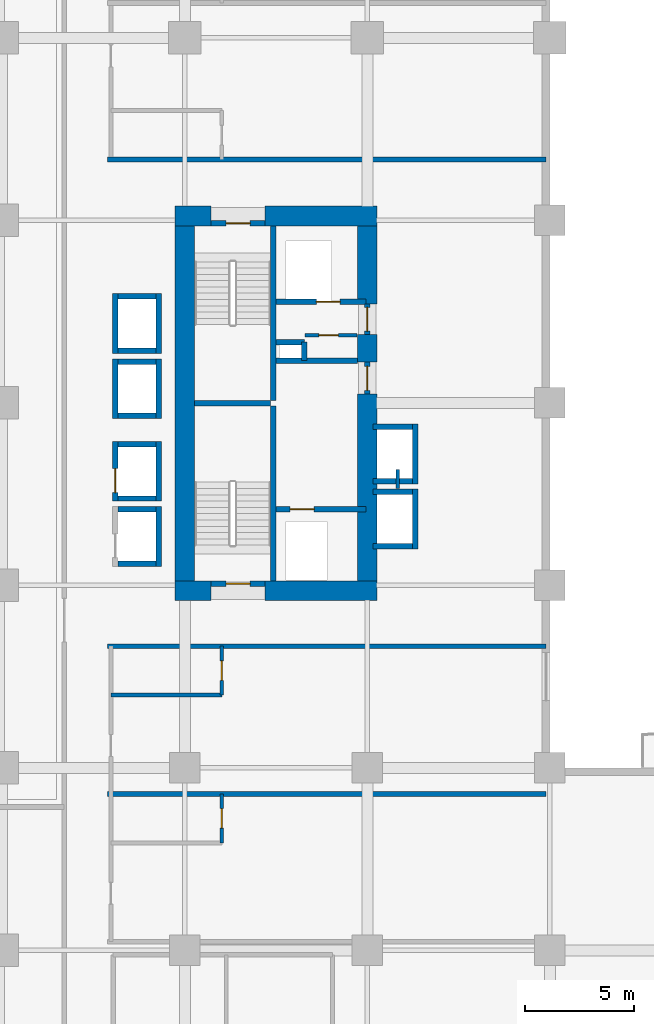
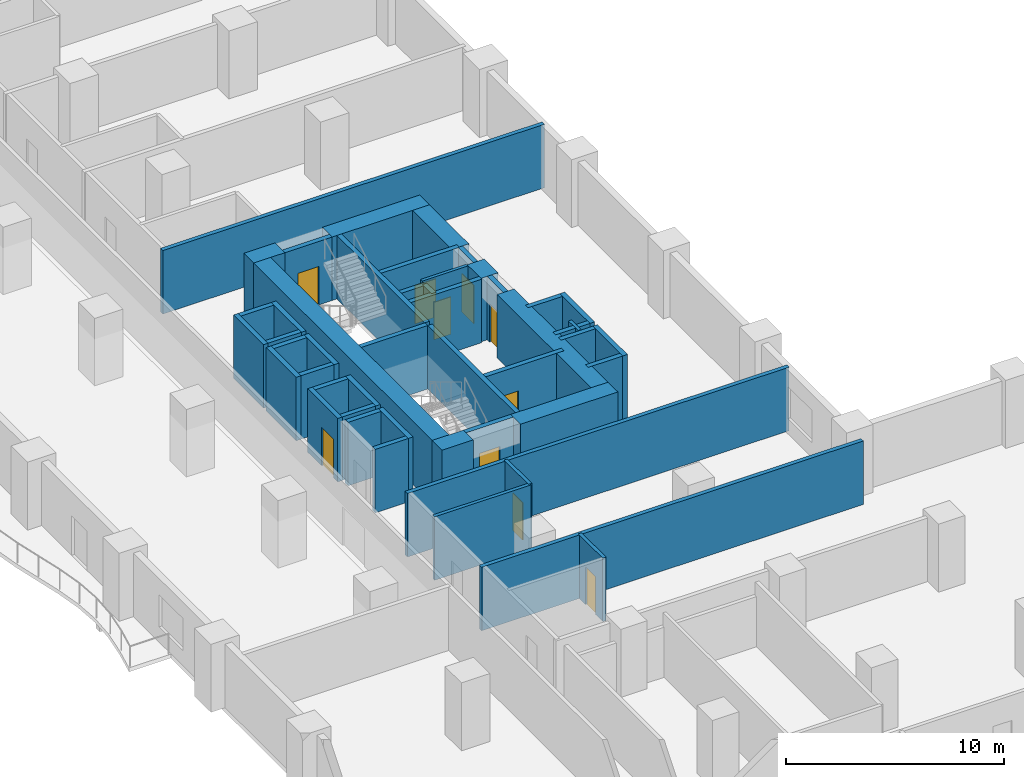
# One storey, part 15 of 27: 49 walls, 10 doors, 10 openings.
"""IFC4 building model written with IfcOpenShell, lengths in metres."""

import ifcopenshell
import ifcopenshell.guid

model = None  # the IFC model being written
_history = None  # IfcOwnerHistory: only IFC2X3 demands one
_inside = {}  # id of a spatial element -> (the spatial element, [elements in it])
_under = {}  # id of a project, library or spatial element -> (it, [spatial elements below it])
_declared = {}  # id of a project -> (the project, [libraries it declares])
_typed = {}  # id of a type object -> (the type object, [elements of that type])
_made_of = {}  # id of a material, layer set ... -> (it, [elements and type objects made of it])


def new_model(schema):
    """Start an empty IFC model of exactly this schema.

    Asked for "IFC4X3", IfcOpenShell would pick the latest addendum, in which some entities
    have other attributes; the version numbers below select the first issue.
    IFC2X3 requires an IfcOwnerHistory on every rooted entity: one is made here for all.
    """
    global model, _history
    if schema == "IFC4X3":
        model = ifcopenshell.file(schema_version=(4, 3, 0, 0))
    else:
        model = ifcopenshell.file(schema=schema)
    _inside.clear()
    _under.clear()
    _declared.clear()
    _typed.clear()
    _made_of.clear()
    _history = None
    if model.schema == "IFC2X3":
        org = make("IfcOrganization", Name="unknown")
        user = make(
            "IfcPersonAndOrganization",
            ThePerson=make("IfcPerson", FamilyName="unknown"),
            TheOrganization=org,
        )
        app = make(
            "IfcApplication",
            ApplicationDeveloper=org,
            Version="unknown",
            ApplicationFullName="unknown",
            ApplicationIdentifier="unknown",
        )
        _history = make(
            "IfcOwnerHistory",
            OwningUser=user,
            OwningApplication=app,
            ChangeAction="ADDED",
            CreationDate=0,
        )
    return model


def make(cls, **values):
    """One entity of the class cls with the attributes given. An attribute that is None is left unset."""
    return model.create_entity(
        cls, **{name: value for name, value in values.items() if value is not None}
    )


def rooted(cls, **values):
    """An entity with a GlobalId (a new one), such as an element, a storey or a relation."""
    return make(cls, GlobalId=ifcopenshell.guid.new(), OwnerHistory=_history, **values)


def si_unit(unit_type, name, prefix=None):
    """IfcSIUnit, for example si_unit("LENGTHUNIT", "METRE", prefix="MILLI")."""
    return make("IfcSIUnit", UnitType=unit_type, Prefix=prefix, Name=name)


def assignment(units):
    """IfcUnitAssignment: the units of a project."""
    return None if units is None else make("IfcUnitAssignment", Units=units)


def point(xyz):
    """IfcCartesianPoint."""
    return None if xyz is None else make("IfcCartesianPoint", Coordinates=xyz)


def direction(xyz):
    """IfcDirection."""
    return None if xyz is None else make("IfcDirection", DirectionRatios=xyz)


def frame(location, z_axis=None, x_axis=None):
    """IfcAxis2Placement3D, a coordinate frame: its origin and axes. An axis left out is left unset."""
    return make(
        "IfcAxis2Placement3D",
        Location=point(location),
        Axis=direction(z_axis),
        RefDirection=direction(x_axis),
    )


def frame_2d(location, x_axis=None):
    """IfcAxis2Placement2D, a coordinate frame in the plane: its origin and x axis."""
    return make(
        "IfcAxis2Placement2D", Location=point(location), RefDirection=direction(x_axis)
    )


def origin():
    """The frame at (0, 0, 0) with its axes left unset."""
    return frame((0.0, 0.0, 0.0))


def place(relative_to, where):
    """IfcLocalPlacement: puts the frame where relative to a parent placement (None: the world)."""
    return make(
        "IfcLocalPlacement", PlacementRelTo=relative_to, RelativePlacement=where
    )


def context(
    kind, dimensions, precision=None, world=None, true_north=None, identifier=None
):
    """IfcGeometricRepresentationContext, for example the 3D "Model" context."""
    return make(
        "IfcGeometricRepresentationContext",
        ContextIdentifier=identifier,
        ContextType=kind,
        CoordinateSpaceDimension=dimensions,
        Precision=precision,
        WorldCoordinateSystem=world,
        TrueNorth=true_north,
    )


def subcontext(parent, identifier, kind, view, scale=None):
    """IfcGeometricRepresentationSubContext, for example "Body" below "Model"."""
    return make(
        "IfcGeometricRepresentationSubContext",
        ContextIdentifier=identifier,
        ContextType=kind,
        ParentContext=parent,
        TargetScale=scale,
        TargetView=view,
    )


def project(units=None, contexts=None):
    """IfcProject with its units and contexts."""
    return rooted(
        "IfcProject",
        Name="project",
        RepresentationContexts=contexts,
        UnitsInContext=assignment(units),
    )


def spatial(cls, under=None, at=None, **own):
    """A site, building, storey or space (cls), placed at a placement, below another one or the project."""
    s = rooted(cls, ObjectPlacement=at, **own)
    if under is not None:
        _under.setdefault(under.id(), (under, []))[1].append(s)
    return s


def profile(cls, at=None, kind="AREA", **sizes):
    """A parametric profile (cls). Its sizes go by their IFC names, for example OverallWidth=200.0."""
    return make(cls, ProfileType=kind, Position=at, **sizes)


def rectangle(**sizes):
    """IfcRectangleProfileDef."""
    return profile("IfcRectangleProfileDef", **sizes)


def extrude(swept, where, along, depth):
    """IfcExtrudedAreaSolid: the profile swept, set in the frame where, extruded along a direction by depth."""
    return make(
        "IfcExtrudedAreaSolid",
        SweptArea=swept,
        Position=where,
        ExtrudedDirection=direction(along),
        Depth=depth,
    )


def shape(context_of_items, identifier, shape_type, items):
    """IfcShapeRepresentation: the items that make up one representation, for example the "Body"."""
    return make(
        "IfcShapeRepresentation",
        ContextOfItems=context_of_items,
        RepresentationIdentifier=identifier,
        RepresentationType=shape_type,
        Items=items,
    )


def material(Name=None, Category=None):
    """IfcMaterial."""
    return make("IfcMaterial", Name=Name, Category=Category)


def layer(
    of_material, thickness, ventilated=None, Name=None, Category=None, Priority=None
):
    """IfcMaterialLayer: one layer of a wall or slab, of a material (None: an air gap)."""
    return make(
        "IfcMaterialLayer",
        Material=of_material,
        LayerThickness=thickness,
        IsVentilated=ventilated,
        Name=Name,
        Category=Category,
        Priority=Priority,
    )


def layer_set(layers, Name=None):
    """IfcMaterialLayerSet."""
    return make("IfcMaterialLayerSet", MaterialLayers=layers, LayerSetName=Name)


def made_of(thing, what):
    """Note that an element or type object is made of a material, layer set ...; save() writes the relation."""
    if what is not None:
        _made_of.setdefault(what.id(), (what, []))[1].append(thing)
    return thing


def type_object(cls, material=None, **own):
    """A type object (cls), such as IfcWallType, which elements share."""
    return made_of(rooted(cls, **own), material)


def element(
    cls,
    number,
    at=None,
    inside=None,
    cuts=None,
    type_object=None,
    material=None,
    context=None,
    identifier="Body",
    shape_type=None,
    held_by="IfcProductDefinitionShape",
    body=None,
    shapes=None,
    **own,
):
    """One element of the class cls, such as IfcWall. Its Tag is "e" and its number.

    at: its placement. inside: the storey or other place that contains it. cuts: it is an
    opening in that element (IfcRelVoidsElement). A single representation is given by context,
    identifier, shape_type and body (its items); several are given by shapes. held_by: the class
    of the entity that holds the representations. save() writes the other relations.
    """
    e = rooted(cls, Tag="e%d" % number, ObjectPlacement=at, **own)
    if body is not None:
        shapes = [shape(context, identifier, shape_type, body)]
    if shapes is not None:
        e.Representation = make(held_by, Representations=shapes)
    if inside is not None:
        _inside.setdefault(inside.id(), (inside, []))[1].append(e)
    if cuts is not None:
        rooted(
            "IfcRelVoidsElement", RelatingBuildingElement=cuts, RelatedOpeningElement=e
        )
    if type_object is not None:
        _typed.setdefault(type_object.id(), (type_object, []))[1].append(e)
    return made_of(e, material)


def fill(opening, filler):
    """IfcRelFillsElement: the door or window that sits in an opening."""
    return rooted(
        "IfcRelFillsElement",
        RelatingOpeningElement=opening,
        RelatedBuildingElement=filler,
    )


def aggregate(whole, parts):
    """IfcRelAggregates: a whole, such as a stair, and the parts it consists of."""
    return rooted("IfcRelAggregates", RelatingObject=whole, RelatedObjects=parts)


def save(model, path):
    """Write the relations noted so far, then the file.

    IfcRelAggregates (storeys below a building ...), IfcRelContainedInSpatialStructure (elements
    in a storey), IfcRelDefinesByType, IfcRelAssociatesMaterial and IfcRelDeclares: one each for
    every whole, place, type object, material and project.
    """
    for whole, parts in _under.values():
        aggregate(whole, parts)
    for where, things in _inside.values():
        rooted(
            "IfcRelContainedInSpatialStructure",
            RelatedElements=things,
            RelatingStructure=where,
        )
    for kind, things in _typed.values():
        rooted("IfcRelDefinesByType", RelatedObjects=things, RelatingType=kind)
    for what, things in _made_of.values():
        rooted("IfcRelAssociatesMaterial", RelatedObjects=things, RelatingMaterial=what)
    for by, libraries in _declared.values():
        rooted("IfcRelDeclares", RelatingContext=by, RelatedDefinitions=libraries)
    model.write(path)


model = new_model("IFC4")

# Units and contexts
model_context = context("Model", 3, precision=1e-05, world=origin(), true_north=direction((0.0, 1.0)))
body_context = subcontext(model_context, "Body", "Model", "MODEL_VIEW")
ifc_project = project(units=[si_unit("LENGTHUNIT", "METRE"), si_unit("AREAUNIT", "SQUARE_METRE"), si_unit("VOLUMEUNIT", "CUBIC_METRE"), si_unit("PLANEANGLEUNIT", "RADIAN"), si_unit("MASSUNIT", "GRAM", prefix="KILO")], contexts=[model_context])

# Site, building, storey
site_placement = place(None, origin())
site = spatial("IfcSite", under=ifc_project, at=site_placement, CompositionType="ELEMENT")
building_placement = place(site_placement, origin())
building = spatial("IfcBuilding", under=site, at=building_placement, Name="Koriwani Terraces Tower", CompositionType="ELEMENT")
storey_placement = place(building_placement, frame((0.0, 0.0, 54.800048828125)))
storey = spatial("IfcBuildingStorey", under=building, at=storey_placement, Name="L12", CompositionType="ELEMENT", Elevation=54.800048828125)

# Walls
ifc_material_1 = material(Name="Concrete C60/75", Category="concrete")
ifc_layer_1 = layer(ifc_material_1, 0.89990234375, Name="Concrete C60/75")
ifc_layer_set_1 = layer_set([ifc_layer_1], Name="Concrete C60/75")
wall_type_1 = type_object("IfcWallType", Name="WALL_CORE_RC_900", PredefinedType="SHEAR", material=ifc_layer_set_1)
wall_1_placement = place(storey_placement, frame((16.35009765625, 41.75, 0.0), z_axis=(0.0, 0.0, 1.0), x_axis=(1.0, 0.0, 0.0)))
element("IfcWall", 1, at=wall_1_placement, inside=storey, type_object=wall_type_1, Name="L12 West Split Core Shear Wall S1", PredefinedType="SHEAR", context=body_context, shape_type="SweptSolid", body=[
    extrude(rectangle(XDim=1.64990234375, YDim=0.89990234375, at=frame_2d((0.824951171875, 0.0))), origin(), (0.0, 0.0, 1.0), 3.550048828125),
])
wall_2_placement = place(storey_placement, frame((20.5, 41.75, 0.0), z_axis=(0.0, 0.0, 1.0), x_axis=(1.0, 0.0, 0.0)))
element("IfcWall", 2, at=wall_2_placement, inside=storey, type_object=wall_type_1, Name="L12 West Split Core Shear Wall S2", PredefinedType="SHEAR", context=body_context, shape_type="SweptSolid", body=[
    extrude(rectangle(XDim=5.14990234375, YDim=0.89990234375, at=frame_2d((2.574951171875, 0.0))), origin(), (0.0, 0.0, 1.0), 3.550048828125),
])
wall_3_placement = place(storey_placement, frame((16.35009765625, 59.0, 0.0), z_axis=(0.0, 0.0, 1.0), x_axis=(1.0, 0.0, 0.0)))
element("IfcWall", 3, at=wall_3_placement, inside=storey, type_object=wall_type_1, Name="L12 West Split Core Shear Wall N1", PredefinedType="SHEAR", context=body_context, shape_type="SweptSolid", body=[
    extrude(rectangle(XDim=1.64990234375, YDim=0.89990234375, at=frame_2d((0.824951171875, 0.0))), origin(), (0.0, 0.0, 1.0), 3.550048828125),
])
wall_4_placement = place(storey_placement, frame((20.5, 59.0, 0.0), z_axis=(0.0, 0.0, 1.0), x_axis=(1.0, 0.0, 0.0)))
element("IfcWall", 4, at=wall_4_placement, inside=storey, type_object=wall_type_1, Name="L12 West Split Core Shear Wall N2", PredefinedType="SHEAR", context=body_context, shape_type="SweptSolid", body=[
    extrude(rectangle(XDim=5.14990234375, YDim=0.89990234375, at=frame_2d((2.574951171875, 0.0))), origin(), (0.0, 0.0, 1.0), 3.550048828125),
])
wall_5_placement = place(storey_placement, frame((16.800048828125, 42.199951171875, 0.0), z_axis=(0.0, 0.0, 1.0), x_axis=(0.0, 1.0, 0.0)))
element("IfcWall", 5, at=wall_5_placement, inside=storey, type_object=wall_type_1, Name="L12 West Split Core Shear Wall W1", PredefinedType="SHEAR", context=body_context, shape_type="SweptSolid", body=[
    extrude(rectangle(XDim=16.35009765625, YDim=0.89990234375, at=frame_2d((8.175048828125, 0.0))), origin(), (0.0, 0.0, 1.0), 3.550048828125),
])
wall_6_placement = place(storey_placement, frame((25.199951171875, 42.199951171875, 0.0), z_axis=(0.0, 0.0, 1.0), x_axis=(0.0, 1.0, 0.0)))
element("IfcWall", 6, at=wall_6_placement, inside=storey, type_object=wall_type_1, Name="L12 West Split Core Shear Wall E1", PredefinedType="SHEAR", context=body_context, shape_type="SweptSolid", body=[
    extrude(rectangle(XDim=8.60009765625, YDim=0.89990234375, at=frame_2d((4.300048828125, 0.0))), origin(), (0.0, 0.0, 1.0), 3.550048828125),
])
wall_7_placement = place(storey_placement, frame((25.199951171875, 52.280029296875, 0.0), z_axis=(0.0, 0.0, 1.0), x_axis=(0.0, 1.0, 0.0)))
element("IfcWall", 7, at=wall_7_placement, inside=storey, type_object=wall_type_1, Name="L12 West Split Core Shear Wall E2", PredefinedType="SHEAR", context=body_context, shape_type="SweptSolid", body=[
    extrude(rectangle(XDim=1.27001953125, YDim=0.89990234375, at=frame_2d((0.635009765625, 0.0))), origin(), (0.0, 0.0, 1.0), 3.550048828125),
])
wall_8_placement = place(storey_placement, frame((25.199951171875, 54.949951171875, 0.0), z_axis=(0.0, 0.0, 1.0), x_axis=(0.0, 1.0, 0.0)))
element("IfcWall", 8, at=wall_8_placement, inside=storey, type_object=wall_type_1, Name="L12 West Split Core Shear Wall E3", PredefinedType="SHEAR", context=body_context, shape_type="SweptSolid", body=[
    extrude(rectangle(XDim=3.60009765625, YDim=0.89990234375, at=frame_2d((1.800048828125, 0.0))), origin(), (0.0, 0.0, 1.0), 3.550048828125),
])
ifc_material_2 = material(Name="Autoclaved Cellular Concrete Blockwork", Category="masonry")
ifc_layer_2 = layer(ifc_material_2, 0.219970703125, Name="Autoclaved Cellular Concrete Blockwork")
ifc_layer_set_2 = layer_set([ifc_layer_2], Name="Autoclaved Cellular Concrete Blockwork")
wall_type_2 = type_object("IfcWallType", Name="WALL_DEMISING_220", PredefinedType="PARTITIONING", material=ifc_layer_set_2)
for number, where, z_axis, x_axis, name in (
    (9, (13.25, 32.39990234375, 0.0), (0.0, 0.0, 1.0), (1.0, 0.0, 0.0), "L12 Interior Wall WDEM-L12-NWI-1"),
    (10, (13.25, 39.199951171875, 0.0), (0.0, 0.0, 1.0), (1.0, 0.0, 0.0), "L12 Interior Wall WDEME-L12-NWI"),
    (11, (13.25, 61.60009765625, 0.0), (0.0, 0.0, 1.0), (1.0, 0.0, 0.0), "L12 Interior Wall WDEM-L12-NE-0"),
):
    element("IfcWall", number, at=place(storey_placement, frame(where, z_axis=z_axis, x_axis=x_axis)), inside=storey, type_object=wall_type_2, Name=name, PredefinedType="PARTITIONING", context=body_context, shape_type="SweptSolid", body=[
        extrude(rectangle(XDim=20.179931640625, YDim=0.219970703125, at=frame_2d((10.08984375, 0.0))), origin(), (0.0, 0.0, 1.0), 3.550048828125),
    ])

# Wall, opening, door
ifc_material_3 = material(Name="Fire-Rated Acoustic Gypsum Partition", Category="masonry")
ifc_layer_3 = layer(ifc_material_3, 0.179931640625, Name="Fire-Rated Acoustic Gypsum Partition")
ifc_layer_set_3 = layer_set([ifc_layer_3], Name="Fire-Rated Acoustic Gypsum Partition")
wall_type_3 = type_object("IfcWallType", Name="WALL_PLUMBING_180", PredefinedType="PLUMBINGWALL", material=ifc_layer_set_3)
wall_9_placement = place(storey_placement, frame((18.5, 30.14990234375, 0.0), z_axis=(0.0, 0.0, 1.0), x_axis=(0.0, 1.0, 0.0)))
wall_9 = element("IfcWall", 12, at=wall_9_placement, inside=storey, type_object=wall_type_3, Name="L12 Interior Wall WBTH1-L12-NWI-0", PredefinedType="PLUMBINGWALL", context=body_context, shape_type="SweptSolid", body=[
    extrude(rectangle(XDim=2.25, YDim=0.179931640625, at=frame_2d((1.125, 0.0))), origin(), (0.0, 0.0, 1.0), 3.550048828125),
])
opening_1_placement = place(wall_9_placement, frame((0.675048828125, 0.0, 0.0)))
opening_1 = element("IfcOpeningElement", 13, at=opening_1_placement, cuts=wall_9, Name="Opening D-07", PredefinedType="OPENING", context=body_context, shape_type="SweptSolid", body=[
    extrude(rectangle(XDim=0.89990234375, YDim=2.10009765625, at=frame_2d((0.449951171875, 1.050048828125))), frame((0.0, 0.10009765625, 0.0), z_axis=(0.0, -1.0, 0.0), x_axis=(1.0, 0.0, 0.0)), (0.0, 0.0, 1.0), 0.199951171875),
])
ifc_material_4 = material(Name="Architectural Oak Fire Door", Category="wood")
door_type_1 = type_object("IfcDoorType", Name="DOOR_BATH_INT_900X2100", OperationType="NOTDEFINED", PredefinedType="DOOR", material=ifc_material_4)
door_1_placement = place(opening_1_placement, origin())
door_1 = element("IfcDoor", 14, at=door_1_placement, inside=storey, type_object=door_type_1, Name="En-Suite Bathroom 12NWI1 Door", OperationType="SINGLE_SWING_LEFT", OverallHeight=2.10009765625, OverallWidth=0.89990234375, PredefinedType="DOOR", context=body_context, shape_type="SweptSolid", body=[
    extrude(rectangle(XDim=0.89990234375, YDim=2.10009765625, at=frame_2d((0.449951171875, 1.050048828125))), frame((0.0, 0.02490234375, 0.0), z_axis=(0.0, -1.0, 0.0), x_axis=(1.0, 0.0, 0.0)), (0.0, 0.0, 1.0), 0.050048828125),
])
fill(opening_1, door_1)

wall_10_placement = place(storey_placement, frame((18.5, 36.949951171875, 0.0), z_axis=(0.0, 0.0, 1.0), x_axis=(0.0, 1.0, 0.0)))
wall_10 = element("IfcWall", 15, at=wall_10_placement, inside=storey, type_object=wall_type_3, Name="L12 Interior Wall WBTH1-L12-NWI-1", PredefinedType="PLUMBINGWALL", context=body_context, shape_type="SweptSolid", body=[
    extrude(rectangle(XDim=2.25, YDim=0.179931640625, at=frame_2d((1.125, 0.0))), origin(), (0.0, 0.0, 1.0), 3.550048828125),
])
opening_2_placement = place(wall_10_placement, frame((0.675048828125, 0.0, 0.0)))
opening_2 = element("IfcOpeningElement", 16, at=opening_2_placement, cuts=wall_10, Name="Opening D-07", PredefinedType="OPENING", context=body_context, shape_type="SweptSolid", body=[
    extrude(rectangle(XDim=0.89990234375, YDim=2.10009765625, at=frame_2d((0.449951171875, 1.050048828125))), frame((0.0, 0.10009765625, 0.0), z_axis=(0.0, -1.0, 0.0), x_axis=(1.0, 0.0, 0.0)), (0.0, 0.0, 1.0), 0.199951171875),
])
door_2_placement = place(opening_2_placement, origin())
door_2 = element("IfcDoor", 17, at=door_2_placement, inside=storey, type_object=door_type_1, Name="En-Suite Bathroom 12NWI2 Door", OperationType="SINGLE_SWING_LEFT", OverallHeight=2.10009765625, OverallWidth=0.89990234375, PredefinedType="DOOR", context=body_context, shape_type="SweptSolid", body=[
    extrude(rectangle(XDim=0.89990234375, YDim=2.10009765625, at=frame_2d((0.449951171875, 1.050048828125))), frame((0.0, 0.02490234375, 0.0), z_axis=(0.0, -1.0, 0.0), x_axis=(1.0, 0.0, 0.0)), (0.0, 0.0, 1.0), 0.050048828125),
])
fill(opening_2, door_2)

# Walls
wall_11_placement = place(storey_placement, frame((13.39990234375, 36.949951171875, 0.0), z_axis=(0.0, 0.0, 1.0), x_axis=(1.0, 0.0, 0.0)))
element("IfcWall", 18, at=wall_11_placement, inside=storey, type_object=wall_type_3, Name="L12 Interior Wall WBTH2-L12-NWI-1", PredefinedType="PLUMBINGWALL", context=body_context, shape_type="SweptSolid", body=[
    extrude(rectangle(XDim=5.10009765625, YDim=0.179931640625, at=frame_2d((2.550048828125, 0.0))), origin(), (0.0, 0.0, 1.0), 3.550048828125),
])
ifc_material_5 = material(Name="Concrete C40/50", Category="concrete")
ifc_layer_4 = layer(ifc_material_5, 0.25, Name="Concrete C40/50")
ifc_layer_set_4 = layer_set([ifc_layer_4], Name="Concrete C40/50")
wall_type_4 = type_object("IfcWallType", Name="WALL_SHAFT_RATED_250", PredefinedType="SOLIDWALL", material=ifc_layer_set_4)
for number, where, z_axis, x_axis, name in (
    (19, (20.875, 42.199951171875, 0.0), (0.0, 0.0, 1.0), (0.0, 1.0, 0.0), "L12 West Split Core Web Wall MID1"),
    (20, (20.875, 50.5, 0.0), (0.0, 0.0, 1.0), (0.0, 1.0, 0.0), "L12 West Split Core Web Wall MID2"),
):
    element("IfcWall", number, at=place(storey_placement, frame(where, z_axis=z_axis, x_axis=x_axis)), inside=storey, type_object=wall_type_4, Name=name, PredefinedType="SOLIDWALL", context=body_context, shape_type="SweptSolid", body=[
        extrude(rectangle(XDim=8.050048828125, YDim=0.25, at=frame_2d((4.02490234375, 0.0))), origin(), (0.0, 0.0, 1.0), 3.550048828125),
    ])
wall_12_placement = place(storey_placement, frame((17.25, 50.375, 0.0), z_axis=(0.0, 0.0, 1.0), x_axis=(1.0, 0.0, 0.0)))
element("IfcWall", 21, at=wall_12_placement, inside=storey, type_object=wall_type_4, Name="L12 West Split Core Stair Dividing Wall", PredefinedType="SOLIDWALL", context=body_context, shape_type="SweptSolid", body=[
    extrude(rectangle(XDim=3.5, YDim=0.25, at=frame_2d((1.75, 0.0))), origin(), (0.0, 0.0, 1.0), 3.550048828125),
])

# Wall, opening, door
wall_13_placement = place(storey_placement, frame((18.0, 42.074951171875, 0.0), z_axis=(0.0, 0.0, 1.0), x_axis=(1.0, 0.0, 0.0)))
wall_13 = element("IfcWall", 22, at=wall_13_placement, inside=storey, type_object=wall_type_4, Name="L12 Interior Wall WIN-CW-L12-STS", PredefinedType="SOLIDWALL", context=body_context, shape_type="SweptSolid", body=[
    extrude(rectangle(XDim=2.5, YDim=0.25, at=frame_2d((1.25, 0.0))), origin(), (0.0, 0.0, 1.0), 3.550048828125),
])
opening_3_placement = place(wall_13_placement, frame((0.699951171875, 0.0, 0.0)))
opening_3 = element("IfcOpeningElement", 23, at=opening_3_placement, cuts=wall_13, Name="Opening D-03", PredefinedType="OPENING", context=body_context, shape_type="SweptSolid", body=[
    extrude(rectangle(XDim=1.10009765625, YDim=2.14990234375, at=frame_2d((0.550048828125, 1.074951171875))), frame((0.0, 0.135009765625, 0.0), z_axis=(0.0, -1.0, 0.0), x_axis=(1.0, 0.0, 0.0)), (0.0, 0.0, 1.0), 0.27001953125),
])
ifc_material_6 = material(Name="Steel ASTM A572 Grade 50", Category="steel")
door_type_2 = type_object("IfcDoorType", Name="DOOR_STAIR_FIRE_1100X2150", OperationType="NOTDEFINED", PredefinedType="DOOR", material=ifc_material_6)
door_3_placement = place(opening_3_placement, origin())
door_3 = element("IfcDoor", 24, at=door_3_placement, inside=storey, type_object=door_type_2, Name="L12 Exit Stair ST-W1 Door", OperationType="SINGLE_SWING_RIGHT", OverallHeight=2.14990234375, OverallWidth=1.10009765625, PredefinedType="DOOR", context=body_context, shape_type="SweptSolid", body=[
    extrude(rectangle(XDim=1.10009765625, YDim=2.14990234375, at=frame_2d((0.550048828125, 1.074951171875))), frame((0.0, 0.02490234375, 0.0), z_axis=(0.0, -1.0, 0.0), x_axis=(1.0, 0.0, 0.0)), (0.0, 0.0, 1.0), 0.050048828125),
])
fill(opening_3, door_3)

wall_14_placement = place(storey_placement, frame((18.0, 58.675048828125, 0.0), z_axis=(0.0, 0.0, 1.0), x_axis=(1.0, 0.0, 0.0)))
wall_14 = element("IfcWall", 25, at=wall_14_placement, inside=storey, type_object=wall_type_4, Name="L12 Interior Wall WIN-CW-L12-STN", PredefinedType="SOLIDWALL", context=body_context, shape_type="SweptSolid", body=[
    extrude(rectangle(XDim=2.5, YDim=0.25, at=frame_2d((1.25, 0.0))), origin(), (0.0, 0.0, 1.0), 3.550048828125),
])
opening_4_placement = place(wall_14_placement, frame((0.699951171875, 0.0, 0.0)))
opening_4 = element("IfcOpeningElement", 26, at=opening_4_placement, cuts=wall_14, Name="Opening D-03", PredefinedType="OPENING", context=body_context, shape_type="SweptSolid", body=[
    extrude(rectangle(XDim=1.10009765625, YDim=2.14990234375, at=frame_2d((0.550048828125, 1.074951171875))), frame((0.0, 0.135009765625, 0.0), z_axis=(0.0, -1.0, 0.0), x_axis=(1.0, 0.0, 0.0)), (0.0, 0.0, 1.0), 0.27001953125),
])
door_4_placement = place(opening_4_placement, origin())
door_4 = element("IfcDoor", 27, at=door_4_placement, inside=storey, type_object=door_type_2, Name="L12 Exit Stair ST-W2 Door", OperationType="SINGLE_SWING_LEFT", OverallHeight=2.14990234375, OverallWidth=1.10009765625, PredefinedType="DOOR", context=body_context, shape_type="SweptSolid", body=[
    extrude(rectangle(XDim=1.10009765625, YDim=2.14990234375, at=frame_2d((0.550048828125, 1.074951171875))), frame((0.0, 0.02490234375, 0.0), z_axis=(0.0, -1.0, 0.0), x_axis=(1.0, 0.0, 0.0)), (0.0, 0.0, 1.0), 0.050048828125),
])
fill(opening_4, door_4)

wall_15_placement = place(storey_placement, frame((21.0, 45.5, 0.0), z_axis=(0.0, 0.0, 1.0), x_axis=(1.0, 0.0, 0.0)))
wall_15 = element("IfcWall", 28, at=wall_15_placement, inside=storey, type_object=wall_type_4, Name="L12 Interior Wall WIN-CW-L12-FE", PredefinedType="SOLIDWALL", context=body_context, shape_type="SweptSolid", body=[
    extrude(rectangle(XDim=4.14990234375, YDim=0.25, at=frame_2d((2.074951171875, 0.0))), origin(), (0.0, 0.0, 1.0), 3.550048828125),
])
opening_5_placement = place(wall_15_placement, frame((0.64990234375, 0.0, 0.0)))
opening_5 = element("IfcOpeningElement", 29, at=opening_5_placement, cuts=wall_15, Name="Opening LD-01", PredefinedType="OPENING", context=body_context, shape_type="SweptSolid", body=[
    extrude(rectangle(XDim=1.10009765625, YDim=2.14990234375, at=frame_2d((0.550048828125, 1.074951171875))), frame((0.0, 0.135009765625, 0.0), z_axis=(0.0, -1.0, 0.0), x_axis=(1.0, 0.0, 0.0)), (0.0, 0.0, 1.0), 0.27001953125),
])
door_type_3 = type_object("IfcDoorType", Name="DOOR_LIFT_LANDING_1100X2200", OperationType="NOTDEFINED", PredefinedType="DOOR", material=ifc_material_6)
door_5_placement = place(opening_5_placement, origin())
door_5 = element("IfcDoor", 30, at=door_5_placement, inside=storey, type_object=door_type_3, Name="L12 Firefighting Lift FE-01 Landing Door", OperationType="SLIDING_TO_LEFT", OverallHeight=2.14990234375, OverallWidth=1.10009765625, PredefinedType="DOOR", context=body_context, shape_type="SweptSolid", body=[
    extrude(rectangle(XDim=1.10009765625, YDim=2.14990234375, at=frame_2d((0.550048828125, 1.074951171875))), frame((0.0, 0.02490234375, 0.0), z_axis=(0.0, -1.0, 0.0), x_axis=(1.0, 0.0, 0.0)), (0.0, 0.0, 1.0), 0.050048828125),
])
fill(opening_5, door_5)

wall_16_placement = place(storey_placement, frame((25.199951171875, 50.800048828125, 0.0), z_axis=(0.0, 0.0, 1.0), x_axis=(0.0, 1.0, 0.0)))
wall_16 = element("IfcWall", 31, at=wall_16_placement, inside=storey, type_object=wall_type_4, Name="L12 Interior Wall WIN-CW-L12-EP", PredefinedType="SOLIDWALL", context=body_context, shape_type="SweptSolid", body=[
    extrude(rectangle(XDim=1.47998046875, YDim=0.25, at=frame_2d((0.739990234375, 0.0))), origin(), (0.0, 0.0, 1.0), 3.550048828125),
])
opening_6_placement = place(wall_16_placement, frame((0.179931640625, 0.0, 0.0)))
opening_6 = element("IfcOpeningElement", 32, at=opening_6_placement, cuts=wall_16, Name="Opening D-03", PredefinedType="OPENING", context=body_context, shape_type="SweptSolid", body=[
    extrude(rectangle(XDim=1.10009765625, YDim=2.14990234375, at=frame_2d((0.550048828125, 1.074951171875))), frame((0.0, 0.135009765625, 0.0), z_axis=(0.0, -1.0, 0.0), x_axis=(1.0, 0.0, 0.0)), (0.0, 0.0, 1.0), 0.27001953125),
])
door_6_placement = place(opening_6_placement, origin())
door_6 = element("IfcDoor", 33, at=door_6_placement, inside=storey, type_object=door_type_2, Name="L12 West Firefighting Lobby Door", OperationType="SINGLE_SWING_RIGHT", OverallHeight=2.14990234375, OverallWidth=1.10009765625, PredefinedType="DOOR", context=body_context, shape_type="SweptSolid", body=[
    extrude(rectangle(XDim=1.10009765625, YDim=2.14990234375, at=frame_2d((0.550048828125, 1.074951171875))), frame((0.0, 0.02490234375, 0.0), z_axis=(0.0, -1.0, 0.0), x_axis=(1.0, 0.0, 0.0)), (0.0, 0.0, 1.0), 0.050048828125),
])
fill(opening_6, door_6)

# Wall
wall_17_placement = place(storey_placement, frame((21.0, 52.340087890625, 0.0), z_axis=(0.0, 0.0, 1.0), x_axis=(1.0, 0.0, 0.0)))
element("IfcWall", 34, at=wall_17_placement, inside=storey, type_object=wall_type_4, Name="L12 Interior Wall WIN-CW-L12-FFN", PredefinedType="SOLIDWALL", context=body_context, shape_type="SweptSolid", body=[
    extrude(rectangle(XDim=3.75, YDim=0.25, at=frame_2d((1.875, 0.0))), origin(), (0.0, 0.0, 1.0), 3.550048828125),
])

# Wall, opening, door
wall_18_placement = place(storey_placement, frame((21.0, 55.050048828125, 0.0), z_axis=(0.0, 0.0, 1.0), x_axis=(1.0, 0.0, 0.0)))
wall_18 = element("IfcWall", 35, at=wall_18_placement, inside=storey, type_object=wall_type_4, Name="L12 Interior Wall WIN-CW-L12-SE", PredefinedType="SOLIDWALL", context=body_context, shape_type="SweptSolid", body=[
    extrude(rectangle(XDim=4.14990234375, YDim=0.25, at=frame_2d((2.074951171875, 0.0))), origin(), (0.0, 0.0, 1.0), 3.550048828125),
])
opening_7_placement = place(wall_18_placement, frame((1.85009765625, 0.0, 0.0)))
opening_7 = element("IfcOpeningElement", 36, at=opening_7_placement, cuts=wall_18, Name="Opening LD-01", PredefinedType="OPENING", context=body_context, shape_type="SweptSolid", body=[
    extrude(rectangle(XDim=1.10009765625, YDim=2.14990234375, at=frame_2d((0.550048828125, 1.074951171875))), frame((0.0, 0.135009765625, 0.0), z_axis=(0.0, -1.0, 0.0), x_axis=(1.0, 0.0, 0.0)), (0.0, 0.0, 1.0), 0.27001953125),
])
door_7_placement = place(opening_7_placement, origin())
door_7 = element("IfcDoor", 37, at=door_7_placement, inside=storey, type_object=door_type_3, Name="L12 Goods Lift SE-01 Landing Door", OperationType="SLIDING_TO_LEFT", OverallHeight=2.14990234375, OverallWidth=1.10009765625, PredefinedType="DOOR", context=body_context, shape_type="SweptSolid", body=[
    extrude(rectangle(XDim=1.10009765625, YDim=2.14990234375, at=frame_2d((0.550048828125, 1.074951171875))), frame((0.0, 0.02490234375, 0.0), z_axis=(0.0, -1.0, 0.0), x_axis=(1.0, 0.0, 0.0)), (0.0, 0.0, 1.0), 0.050048828125),
])
fill(opening_7, door_7)

wall_19_placement = place(storey_placement, frame((25.199951171875, 53.550048828125, 0.0), z_axis=(0.0, 0.0, 1.0), x_axis=(0.0, 1.0, 0.0)))
wall_19 = element("IfcWall", 38, at=wall_19_placement, inside=storey, type_object=wall_type_4, Name="L12 Interior Wall WIN-CW-L12-EP2", PredefinedType="SOLIDWALL", context=body_context, shape_type="SweptSolid", body=[
    extrude(rectangle(XDim=1.39990234375, YDim=0.25, at=frame_2d((0.699951171875, 0.0))), origin(), (0.0, 0.0, 1.0), 3.550048828125),
])
opening_8_placement = place(wall_19_placement, frame((0.14990234375, 0.0, 0.0)))
opening_8 = element("IfcOpeningElement", 39, at=opening_8_placement, cuts=wall_19, Name="Opening D-03", PredefinedType="OPENING", context=body_context, shape_type="SweptSolid", body=[
    extrude(rectangle(XDim=1.10009765625, YDim=2.14990234375, at=frame_2d((0.550048828125, 1.074951171875))), frame((0.0, 0.135009765625, 0.0), z_axis=(0.0, -1.0, 0.0), x_axis=(1.0, 0.0, 0.0)), (0.0, 0.0, 1.0), 0.27001953125),
])
door_8_placement = place(opening_8_placement, origin())
door_8 = element("IfcDoor", 40, at=door_8_placement, inside=storey, type_object=door_type_2, Name="L12 West Goods Lift Lobby Door", OperationType="SINGLE_SWING_LEFT", OverallHeight=2.14990234375, OverallWidth=1.10009765625, PredefinedType="DOOR", context=body_context, shape_type="SweptSolid", body=[
    extrude(rectangle(XDim=1.10009765625, YDim=2.14990234375, at=frame_2d((0.550048828125, 1.074951171875))), frame((0.0, 0.02490234375, 0.0), z_axis=(0.0, -1.0, 0.0), x_axis=(1.0, 0.0, 0.0)), (0.0, 0.0, 1.0), 0.050048828125),
])
fill(opening_8, door_8)

# Walls
wall_20_placement = place(storey_placement, frame((21.0, 53.199951171875, 0.0), z_axis=(0.0, 0.0, 1.0), x_axis=(1.0, 0.0, 0.0)))
element("IfcWall", 41, at=wall_20_placement, inside=storey, type_object=wall_type_4, Name="L12 Interior Wall WIN-CW-L12-RS1", PredefinedType="SOLIDWALL", context=body_context, shape_type="SweptSolid", body=[
    extrude(rectangle(XDim=1.300048828125, YDim=0.25, at=frame_2d((0.64990234375, 0.0))), origin(), (0.0, 0.0, 1.0), 3.550048828125),
])
wall_21_placement = place(storey_placement, frame((22.300048828125, 52.360107421875, 0.0), z_axis=(0.0, 0.0, 1.0), x_axis=(0.0, 1.0, 0.0)))
element("IfcWall", 42, at=wall_21_placement, inside=storey, type_object=wall_type_4, Name="L12 Interior Wall WIN-CW-L12-RS2", PredefinedType="SOLIDWALL", context=body_context, shape_type="SweptSolid", body=[
    extrude(rectangle(XDim=0.83984375, YDim=0.25, at=frame_2d((0.419921875, 0.0))), origin(), (0.0, 0.0, 1.0), 3.550048828125),
])
wall_22_placement = place(storey_placement, frame((15.60009765625, 42.875, 0.0), z_axis=(0.0, 0.0, 1.0), x_axis=(0.0, 1.0, 0.0)))
element("IfcWall", 43, at=wall_22_placement, inside=storey, type_object=wall_type_4, Name="L12 Interior Wall WIN-LF-PE-L1-L12-B", PredefinedType="SOLIDWALL", context=body_context, shape_type="SweptSolid", body=[
    extrude(rectangle(XDim=2.75, YDim=0.25, at=frame_2d((1.375, 0.0))), origin(), (0.0, 0.0, 1.0), 3.550048828125),
])
for number, where, z_axis, x_axis, name in (
    (44, (13.72509765625, 43.0, 0.0), (0.0, 0.0, 1.0), (1.0, 0.0, 0.0), "L12 Interior Wall WIN-LF-PE-L1-L12-S"),
    (45, (13.72509765625, 45.5, 0.0), (0.0, 0.0, 1.0), (1.0, 0.0, 0.0), "L12 Interior Wall WIN-LF-PE-L1-L12-N"),
):
    element("IfcWall", number, at=place(storey_placement, frame(where, z_axis=z_axis, x_axis=x_axis)), inside=storey, type_object=wall_type_4, Name=name, PredefinedType="SOLIDWALL", context=body_context, shape_type="SweptSolid", body=[
        extrude(rectangle(XDim=1.75, YDim=0.25, at=frame_2d((0.875, 0.0))), origin(), (0.0, 0.0, 1.0), 3.550048828125),
    ])

# Wall, opening, door
wall_23_placement = place(storey_placement, frame((13.60009765625, 45.875, 0.0), z_axis=(0.0, 0.0, 1.0), x_axis=(0.0, 1.0, 0.0)))
wall_23 = element("IfcWall", 46, at=wall_23_placement, inside=storey, type_object=wall_type_4, Name="L12 Interior Wall WIN-LF-PE-L2-L12-F", PredefinedType="SOLIDWALL", context=body_context, shape_type="SweptSolid", body=[
    extrude(rectangle(XDim=2.75, YDim=0.25, at=frame_2d((1.375, 0.0))), origin(), (0.0, 0.0, 1.0), 3.550048828125),
])
opening_9_placement = place(wall_23_placement, frame((0.39990234375, 0.0, 0.0)))
opening_9 = element("IfcOpeningElement", 47, at=opening_9_placement, cuts=wall_23, Name="Opening LD-01", PredefinedType="OPENING", context=body_context, shape_type="SweptSolid", body=[
    extrude(rectangle(XDim=1.10009765625, YDim=2.14990234375, at=frame_2d((0.550048828125, 1.074951171875))), frame((0.0, 0.135009765625, 0.0), z_axis=(0.0, -1.0, 0.0), x_axis=(1.0, 0.0, 0.0)), (0.0, 0.0, 1.0), 0.27001953125),
])
door_9_placement = place(opening_9_placement, origin())
door_9 = element("IfcDoor", 48, at=door_9_placement, inside=storey, type_object=door_type_3, Name="L12 Passenger Lift PE-L2 Landing Door", OperationType="SLIDING_TO_LEFT", OverallHeight=2.14990234375, OverallWidth=1.10009765625, PredefinedType="DOOR", context=body_context, shape_type="SweptSolid", body=[
    extrude(rectangle(XDim=1.10009765625, YDim=2.14990234375, at=frame_2d((0.550048828125, 1.074951171875))), frame((0.0, 0.02490234375, 0.0), z_axis=(0.0, -1.0, 0.0), x_axis=(1.0, 0.0, 0.0)), (0.0, 0.0, 1.0), 0.050048828125),
])
fill(opening_9, door_9)

# Walls
wall_24_placement = place(storey_placement, frame((15.60009765625, 45.875, 0.0), z_axis=(0.0, 0.0, 1.0), x_axis=(0.0, 1.0, 0.0)))
element("IfcWall", 49, at=wall_24_placement, inside=storey, type_object=wall_type_4, Name="L12 Interior Wall WIN-LF-PE-L2-L12-B", PredefinedType="SOLIDWALL", context=body_context, shape_type="SweptSolid", body=[
    extrude(rectangle(XDim=2.75, YDim=0.25, at=frame_2d((1.375, 0.0))), origin(), (0.0, 0.0, 1.0), 3.550048828125),
])
for number, where, z_axis, x_axis, name in (
    (50, (13.72509765625, 46.0, 0.0), (0.0, 0.0, 1.0), (1.0, 0.0, 0.0), "L12 Interior Wall WIN-LF-PE-L2-L12-S"),
    (51, (13.72509765625, 48.5, 0.0), (0.0, 0.0, 1.0), (1.0, 0.0, 0.0), "L12 Interior Wall WIN-LF-PE-L2-L12-N"),
):
    element("IfcWall", number, at=place(storey_placement, frame(where, z_axis=z_axis, x_axis=x_axis)), inside=storey, type_object=wall_type_4, Name=name, PredefinedType="SOLIDWALL", context=body_context, shape_type="SweptSolid", body=[
        extrude(rectangle(XDim=1.75, YDim=0.25, at=frame_2d((0.875, 0.0))), origin(), (0.0, 0.0, 1.0), 3.550048828125),
    ])
for number, where, z_axis, x_axis, name in (
    (52, (13.60009765625, 49.675048828125, 0.0), (0.0, 0.0, 1.0), (0.0, 1.0, 0.0), "L12 Interior Wall WIN-LF-PE-M1-L12-F"),
    (53, (15.60009765625, 49.675048828125, 0.0), (0.0, 0.0, 1.0), (0.0, 1.0, 0.0), "L12 Interior Wall WIN-LF-PE-M1-L12-B"),
):
    element("IfcWall", number, at=place(storey_placement, frame(where, z_axis=z_axis, x_axis=x_axis)), inside=storey, type_object=wall_type_4, Name=name, PredefinedType="SOLIDWALL", context=body_context, shape_type="SweptSolid", body=[
        extrude(rectangle(XDim=2.75, YDim=0.25, at=frame_2d((1.375, 0.0))), origin(), (0.0, 0.0, 1.0), 3.550048828125),
    ])
for number, where, z_axis, x_axis, name in (
    (54, (13.72509765625, 49.800048828125, 0.0), (0.0, 0.0, 1.0), (1.0, 0.0, 0.0), "L12 Interior Wall WIN-LF-PE-M1-L12-S"),
    (55, (13.72509765625, 52.300048828125, 0.0), (0.0, 0.0, 1.0), (1.0, 0.0, 0.0), "L12 Interior Wall WIN-LF-PE-M1-L12-N"),
):
    element("IfcWall", number, at=place(storey_placement, frame(where, z_axis=z_axis, x_axis=x_axis)), inside=storey, type_object=wall_type_4, Name=name, PredefinedType="SOLIDWALL", context=body_context, shape_type="SweptSolid", body=[
        extrude(rectangle(XDim=1.75, YDim=0.25, at=frame_2d((0.875, 0.0))), origin(), (0.0, 0.0, 1.0), 3.550048828125),
    ])
for number, where, z_axis, x_axis, name in (
    (56, (13.60009765625, 52.675048828125, 0.0), (0.0, 0.0, 1.0), (0.0, 1.0, 0.0), "L12 Interior Wall WIN-LF-PE-M2-L12-F"),
    (57, (15.60009765625, 52.675048828125, 0.0), (0.0, 0.0, 1.0), (0.0, 1.0, 0.0), "L12 Interior Wall WIN-LF-PE-M2-L12-B"),
):
    element("IfcWall", number, at=place(storey_placement, frame(where, z_axis=z_axis, x_axis=x_axis)), inside=storey, type_object=wall_type_4, Name=name, PredefinedType="SOLIDWALL", context=body_context, shape_type="SweptSolid", body=[
        extrude(rectangle(XDim=2.75, YDim=0.25, at=frame_2d((1.375, 0.0))), origin(), (0.0, 0.0, 1.0), 3.550048828125),
    ])
for number, where, z_axis, x_axis, name in (
    (58, (13.72509765625, 52.800048828125, 0.0), (0.0, 0.0, 1.0), (1.0, 0.0, 0.0), "L12 Interior Wall WIN-LF-PE-M2-L12-S"),
    (59, (13.72509765625, 55.300048828125, 0.0), (0.0, 0.0, 1.0), (1.0, 0.0, 0.0), "L12 Interior Wall WIN-LF-PE-M2-L12-N"),
):
    element("IfcWall", number, at=place(storey_placement, frame(where, z_axis=z_axis, x_axis=x_axis)), inside=storey, type_object=wall_type_4, Name=name, PredefinedType="SOLIDWALL", context=body_context, shape_type="SweptSolid", body=[
        extrude(rectangle(XDim=1.75, YDim=0.25, at=frame_2d((0.875, 0.0))), origin(), (0.0, 0.0, 1.0), 3.550048828125),
    ])
wall_25_placement = place(storey_placement, frame((27.39990234375, 43.675048828125, 0.0), z_axis=(0.0, 0.0, 1.0), x_axis=(0.0, 1.0, 0.0)))
element("IfcWall", 60, at=wall_25_placement, inside=storey, type_object=wall_type_4, Name="L12 Interior Wall WIN-LF-PE-H1-L12-F", PredefinedType="SOLIDWALL", context=body_context, shape_type="SweptSolid", body=[
    extrude(rectangle(XDim=2.75, YDim=0.25, at=frame_2d((1.375, 0.0))), origin(), (0.0, 0.0, 1.0), 3.550048828125),
])
for number, where, z_axis, x_axis, name in (
    (61, (25.449951171875, 43.800048828125, 0.0), (0.0, 0.0, 1.0), (1.0, 0.0, 0.0), "L12 Interior Wall WIN-LF-PE-H1-L12-S"),
    (62, (25.449951171875, 46.300048828125, 0.0), (0.0, 0.0, 1.0), (1.0, 0.0, 0.0), "L12 Interior Wall WIN-LF-PE-H1-L12-N"),
):
    element("IfcWall", number, at=place(storey_placement, frame(where, z_axis=z_axis, x_axis=x_axis)), inside=storey, type_object=wall_type_4, Name=name, PredefinedType="SOLIDWALL", context=body_context, shape_type="SweptSolid", body=[
        extrude(rectangle(XDim=1.824951171875, YDim=0.25, at=frame_2d((0.91259765625, 0.0))), origin(), (0.0, 0.0, 1.0), 3.550048828125),
    ])
wall_26_placement = place(storey_placement, frame((27.39990234375, 46.675048828125, 0.0), z_axis=(0.0, 0.0, 1.0), x_axis=(0.0, 1.0, 0.0)))
element("IfcWall", 63, at=wall_26_placement, inside=storey, type_object=wall_type_4, Name="L12 Interior Wall WIN-LF-PE-H2-L12-F", PredefinedType="SOLIDWALL", context=body_context, shape_type="SweptSolid", body=[
    extrude(rectangle(XDim=2.75, YDim=0.25, at=frame_2d((1.375, 0.0))), origin(), (0.0, 0.0, 1.0), 3.550048828125),
])
for number, where, z_axis, x_axis, name in (
    (64, (25.449951171875, 46.800048828125, 0.0), (0.0, 0.0, 1.0), (1.0, 0.0, 0.0), "L12 Interior Wall WIN-LF-PE-H2-L12-S"),
    (65, (25.449951171875, 49.300048828125, 0.0), (0.0, 0.0, 1.0), (1.0, 0.0, 0.0), "L12 Interior Wall WIN-LF-PE-H2-L12-N"),
):
    element("IfcWall", number, at=place(storey_placement, frame(where, z_axis=z_axis, x_axis=x_axis)), inside=storey, type_object=wall_type_4, Name=name, PredefinedType="SOLIDWALL", context=body_context, shape_type="SweptSolid", body=[
        extrude(rectangle(XDim=1.824951171875, YDim=0.25, at=frame_2d((0.91259765625, 0.0))), origin(), (0.0, 0.0, 1.0), 3.550048828125),
    ])

# Wall, opening, door
ifc_layer_5 = layer(ifc_material_3, 0.159912109375, Name="Fire-Rated Acoustic Gypsum Partition")
ifc_layer_set_5 = layer_set([ifc_layer_5], Name="Fire-Rated Acoustic Gypsum Partition")
wall_type_5 = type_object("IfcWallType", Name="WALL_SUITE_160", PredefinedType="PARTITIONING", material=ifc_layer_set_5)
wall_27_placement = place(storey_placement, frame((22.320068359375, 53.52001953125, 0.0), z_axis=(0.0, 0.0, 1.0), x_axis=(1.0, 0.0, 0.0)))
wall_27 = element("IfcWall", 66, at=wall_27_placement, inside=storey, type_object=wall_type_5, Name="L12 Interior Wall WIN-CW-L12-SV0", PredefinedType="PARTITIONING", context=body_context, shape_type="SweptSolid", body=[
    extrude(rectangle(XDim=2.39990234375, YDim=0.159912109375, at=frame_2d((1.199951171875, 0.0))), origin(), (0.0, 0.0, 1.0), 3.550048828125),
])
opening_10_placement = place(wall_27_placement, frame((0.64990234375, 0.0, 0.0)))
opening_10 = element("IfcOpeningElement", 67, at=opening_10_placement, cuts=wall_27, Name="Opening D-07", PredefinedType="OPENING", context=body_context, shape_type="SweptSolid", body=[
    extrude(rectangle(XDim=0.89990234375, YDim=2.10009765625, at=frame_2d((0.449951171875, 1.050048828125))), frame((0.0, 0.08984375, 0.0), z_axis=(0.0, -1.0, 0.0), x_axis=(1.0, 0.0, 0.0)), (0.0, 0.0, 1.0), 0.179931640625),
])
door_10_placement = place(opening_10_placement, origin())
door_10 = element("IfcDoor", 68, at=door_10_placement, inside=storey, type_object=door_type_1, Name="L12 West Electrical Switch Room Door", OperationType="SINGLE_SWING_RIGHT", OverallHeight=2.10009765625, OverallWidth=0.89990234375, PredefinedType="DOOR", context=body_context, shape_type="SweptSolid", body=[
    extrude(rectangle(XDim=0.89990234375, YDim=2.10009765625, at=frame_2d((0.449951171875, 1.050048828125))), frame((0.0, 0.02490234375, 0.0), z_axis=(0.0, -1.0, 0.0), x_axis=(1.0, 0.0, 0.0)), (0.0, 0.0, 1.0), 0.050048828125),
])
fill(opening_10, door_10)

# Wall
wall_28_placement = place(storey_placement, frame((26.60009765625, 46.4599609375, 0.0), z_axis=(0.0, 0.0, 1.0), x_axis=(0.0, 1.0, 0.0)))
element("IfcWall", 69, at=wall_28_placement, inside=storey, type_object=wall_type_5, Name="L12 Interior Wall WIN-LF-PEH12-MID-L12", PredefinedType="PARTITIONING", context=body_context, shape_type="SweptSolid", body=[
    extrude(rectangle(XDim=0.880126953125, YDim=0.159912109375, at=frame_2d((0.43994140625, 0.0))), origin(), (0.0, 0.0, 1.0), 3.550048828125),
])

save(model, "model.ifc")
